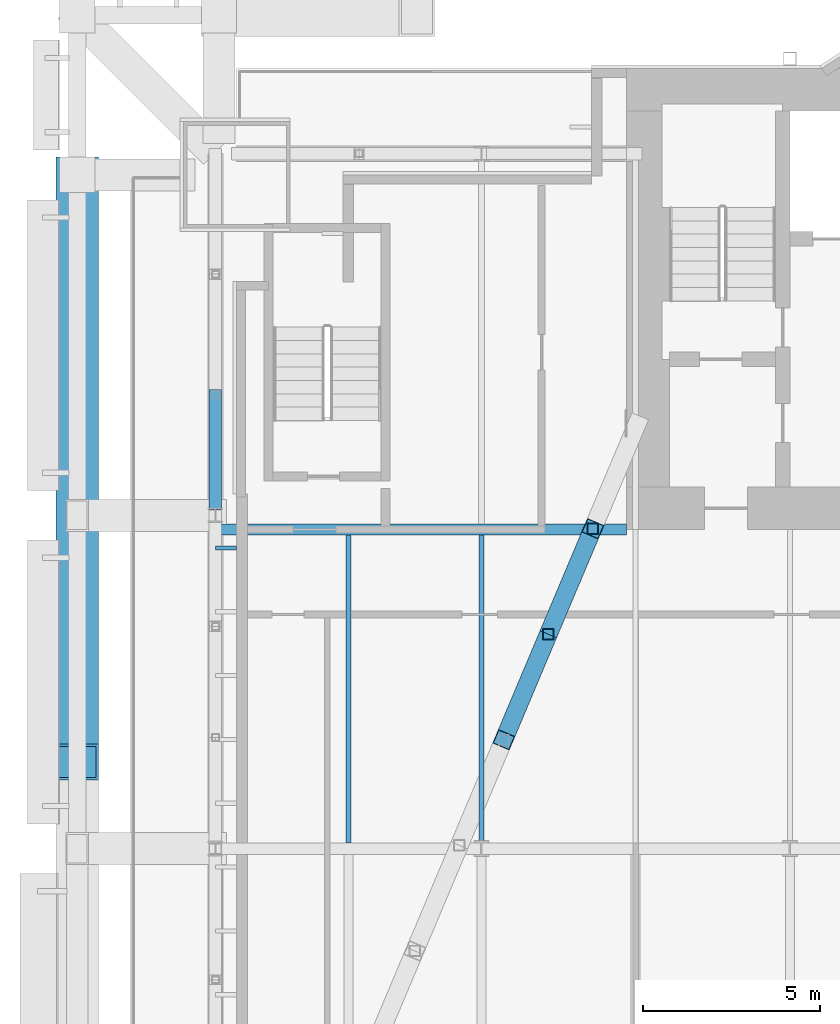
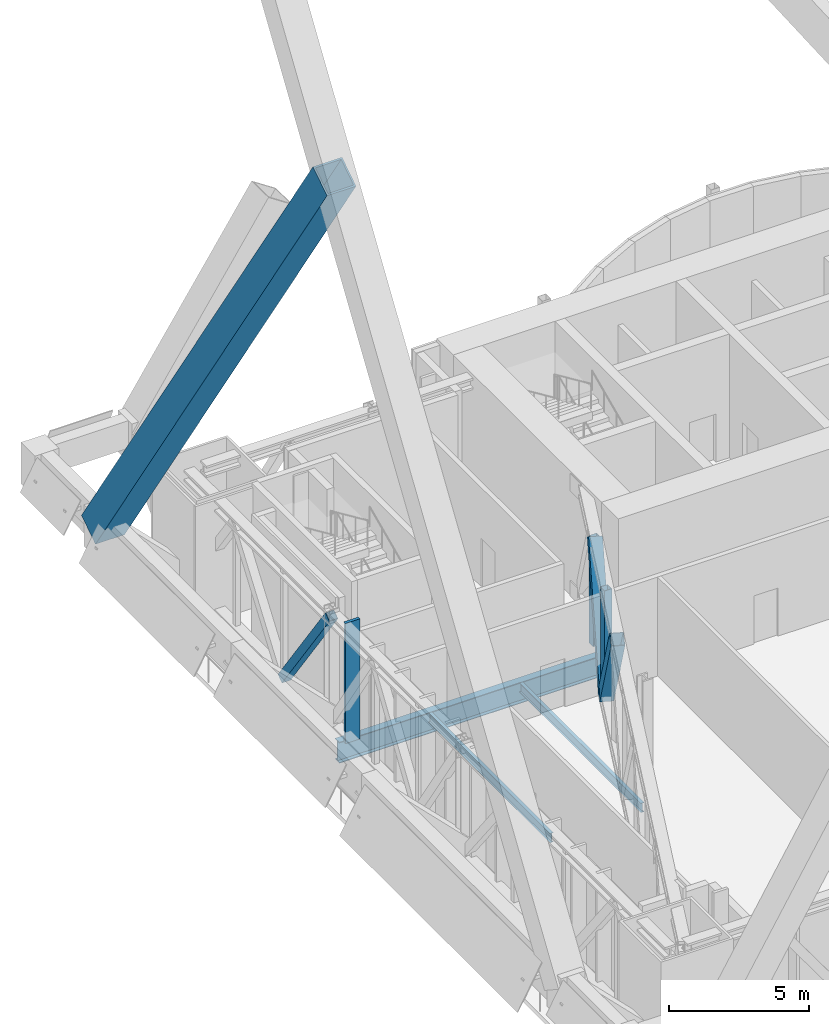
# One storey, part 9 of 32: 7 members, 3 beams, 1 element without a shape of its own.
"""IFC4 building model written with IfcOpenShell, lengths in metres."""

from ifc_helpers import new_model, si_unit, direction, frame, origin, origin_2d, place, context, subcontext, project, spatial, rectangle, hollow_rectangle, i_section, extrude, material, material_profile, profile_set, type_object, element, aggregate, save


model = new_model("IFC4")

# Units and contexts
model_context = context("Model", 3, precision=1e-05, world=origin(), true_north=direction((0.0, 1.0)))
body_context = subcontext(model_context, "Body", "Model", "MODEL_VIEW")
ifc_project = project(units=[si_unit("LENGTHUNIT", "METRE"), si_unit("AREAUNIT", "SQUARE_METRE"), si_unit("VOLUMEUNIT", "CUBIC_METRE"), si_unit("PLANEANGLEUNIT", "RADIAN"), si_unit("MASSUNIT", "GRAM", prefix="KILO")], contexts=[model_context])

# Site, building, storey
site_placement = place(None, origin())
site = spatial("IfcSite", under=ifc_project, at=site_placement, CompositionType="ELEMENT")
building_placement = place(site_placement, origin())
building = spatial("IfcBuilding", under=site, at=building_placement, Name="Bicima Exchange Tower", CompositionType="ELEMENT")
storey_placement = place(building_placement, frame((0.0, 0.0, 84.5)))
storey = spatial("IfcBuildingStorey", under=building, at=storey_placement, Name="L17", CompositionType="ELEMENT", Elevation=84.5)

# Curtain wall, member
ifc_material_1 = material(Name="Anodised bronze aluminium", Category="aluminium")
curtain_wall_type = type_object("IfcCurtainWallType", Name="Band blade screen", PredefinedType="NOTDEFINED", material=ifc_material_1)
curtain_wall_placement = place(storey_placement, origin())
curtain_wall = element("IfcCurtainWall", 1, at=curtain_wall_placement, inside=storey, type_object=curtain_wall_type, Name="Band blade screen L17", PredefinedType="NOTDEFINED")
ifc_material_profile_1 = material_profile(ifc_material_1, rectangle(XDim=0.60009765625, YDim=0.1201171875, at=origin_2d()))
ifc_profile_set_1 = profile_set([ifc_material_profile_1], Name="Anodised bronze aluminium")
member_type_1 = type_object("IfcMemberType", Name="Band blade fin 600 x 120", PredefinedType="USERDEFINED", material=ifc_profile_set_1)
member_1_placement = place(storey_placement, frame((-33.300048828125, -13.52001953125, 0.0), z_axis=(0.0, 0.0, 1.0), x_axis=(1.0, 0.0, 0.0)))
member_1 = element("IfcMember", 2, at=member_1_placement, type_object=member_type_1, Name="Band blade fin 16", ObjectType="FIN", PredefinedType="USERDEFINED", context=body_context, shape_type="SweptSolid", body=[
    extrude(rectangle(XDim=0.60009765625, YDim=0.1201171875, at=origin_2d()), origin(), (0.0, 0.0, 1.0), 5.25),
])
aggregate(curtain_wall, [member_1])

# Member
ifc_material_2 = material(Name="Steel ASTM A572 Gr 50", Category="steel")
ifc_material_profile_2 = material_profile(ifc_material_2, hollow_rectangle(XDim=0.355712890625, YDim=0.355712890625, WallThickness=0.0146484375, at=origin_2d()))
ifc_profile_set_2 = profile_set([ifc_material_profile_2], Name="Steel ASTM A572 Gr 50")
member_type_2 = type_object("IfcMemberType", Name="Belt truss diagonal HSS14x14x5/8", PredefinedType="STRUT", material=ifc_profile_set_2)
member_2_placement = place(storey_placement, frame((-33.60009765625, -9.199951171875, 0.248779296875), z_axis=(0.0, -0.581866410253, 0.813284378688), x_axis=(1.0, 0.0, 0.0)))
element("IfcMember", 3, at=member_2_placement, inside=storey, type_object=member_type_2, Name="Truss diagonal", PredefinedType="STRUT", context=body_context, shape_type="SweptSolid", body=[
    extrude(hollow_rectangle(XDim=0.355712890625, YDim=0.355712890625, WallThickness=0.0146484375, at=origin_2d()), origin(), (0.0, 0.0, 1.0), 5.843505859375),
])

# Beam
ifc_material_3 = material(Name="Steel ASTM A992 Gr 50", Category="steel")
ifc_material_profile_3 = material_profile(ifc_material_3, i_section(OverallWidth=0.3046875, OverallDepth=0.911865234375, WebThickness=0.015869140625, FlangeThickness=0.02392578125, at=origin_2d()))
ifc_profile_set_3 = profile_set([ifc_material_profile_3], Name="Steel ASTM A992 Gr 50")
beam_type_1 = type_object("IfcBeamType", Name="Core-line girder W36x150", PredefinedType="BEAM", material=ifc_profile_set_3)
beam_placement = place(storey_placement, frame((-22.0, -13.0, -0.656005859375), z_axis=(-1.0, 0.0, 0.0), x_axis=(0.0, -1.0, 0.0)))
element("IfcBeam", 4, at=beam_placement, inside=storey, type_object=beam_type_1, Name="Core-line girder", PredefinedType="BEAM", context=body_context, shape_type="SweptSolid", body=[
    extrude(i_section(OverallWidth=0.3046875, OverallDepth=0.911865234375, WebThickness=0.015869140625, FlangeThickness=0.02392578125, at=origin_2d()), origin(), (0.0, 0.0, 1.0), 11.60009765625),
])

# Member
ifc_material_profile_4 = material_profile(ifc_material_2, hollow_rectangle(XDim=1.199951171875, YDim=1.199951171875, WallThickness=0.070068359375, at=origin_2d()))
ifc_profile_set_4 = profile_set([ifc_material_profile_4], Name="Steel ASTM A572 Gr 50")
member_type_3 = type_object("IfcMemberType", Name="Exo mega brace BOX 1200x1200x70", PredefinedType="BRACE", material=ifc_profile_set_4)
member_3_placement = place(storey_placement, frame((-37.5, -3.0, 4.5), z_axis=(0.0, -0.54833425175, 0.836259259057), x_axis=(1.0, 0.0, 0.0)))
element("IfcMember", 5, at=member_3_placement, inside=storey, type_object=member_type_3, Name="Exo mega brace end", PredefinedType="BRACE", context=body_context, shape_type="SweptSolid", body=[
    extrude(hollow_rectangle(XDim=1.199951171875, YDim=1.199951171875, WallThickness=0.070068359375, at=origin_2d()), origin(), (0.0, 0.0, 1.0), 30.194091796875),
])

# Beams
ifc_material_profile_5 = material_profile(ifc_material_3, i_section(OverallWidth=0.140380859375, OverallDepth=0.40380859375, WebThickness=0.007080078125, FlangeThickness=0.01123046875, at=origin_2d()))
ifc_profile_set_5 = profile_set([ifc_material_profile_5], Name="Steel ASTM A992 Gr 50")
beam_type_2 = type_object("IfcBeamType", Name="Floor beam W16x31", PredefinedType="JOIST", material=ifc_profile_set_5)
for number, where, z_axis, x_axis, name in (
    (6, (-29.85009765625, -13.15234375, -0.40185546875), (0.0, -1.0, 0.0), (1.0, 0.0, 0.0), "Floor beam"),
    (7, (-26.10009765625, -13.15234375, -0.40185546875), (0.0, -1.0, 0.0), (1.0, 0.0, 0.0), "Floor beam"),
):
    element("IfcBeam", number, at=place(storey_placement, frame(where, z_axis=z_axis, x_axis=x_axis)), inside=storey, type_object=beam_type_2, Name=name, PredefinedType="JOIST", context=body_context, shape_type="SweptSolid", body=[
        extrude(i_section(OverallWidth=0.140380859375, OverallDepth=0.40380859375, WebThickness=0.007080078125, FlangeThickness=0.01123046875, at=origin_2d()), origin(), (0.0, 0.0, 1.0), 8.68505859375),
    ])

# Members
ifc_material_profile_6 = material_profile(ifc_material_2, hollow_rectangle(XDim=0.508056640625, YDim=0.508056640625, WallThickness=0.017822265625, at=origin_2d()))
ifc_profile_set_6 = profile_set([ifc_material_profile_6], Name="Steel ASTM A572 Gr 50")
member_type_4 = type_object("IfcMemberType", Name="Outrigger truss diagonal HSS20x20x3/4", PredefinedType="STRUT", material=ifc_profile_set_6)
for number, where, z_axis, x_axis, name in (
    (8, (-22.95556640625, -12.97705078125, 4.965576171875), (-0.220750685657, -0.523397600797, -0.822997014735), (0.921400520551, -0.388614308446, 0.0), "Truss diagonal"),
    (9, (-24.211181640625, -15.9541015625, 0.284423828125), (-0.220745726332, -0.523428763878, 0.82297852551), (0.921411930783, -0.388587253794, 0.0), "Truss diagonal"),
):
    element("IfcMember", number, at=place(storey_placement, frame(where, z_axis=z_axis, x_axis=x_axis)), inside=storey, type_object=member_type_4, Name=name, PredefinedType="STRUT", context=body_context, shape_type="SweptSolid", body=[
        extrude(hollow_rectangle(XDim=0.508056640625, YDim=0.508056640625, WallThickness=0.017822265625, at=origin_2d()), origin(), (0.0, 0.0, 1.0), 5.68798828125),
    ])
ifc_material_profile_7 = material_profile(ifc_material_2, hollow_rectangle(XDim=0.3046875, YDim=0.3046875, WallThickness=0.01171875, at=origin_2d()))
ifc_profile_set_7 = profile_set([ifc_material_profile_7], Name="Steel ASTM A572 Gr 50")
member_type_5 = type_object("IfcMemberType", Name="Outrigger truss post HSS12x12x1/2", PredefinedType="POST", material=ifc_profile_set_7)
for number, where, z_axis, x_axis, name in (
    (10, (-22.95556640625, -12.97705078125, 0.284423828125), (0.0, 0.0, 1.0), (1.0, 0.0, 0.0), "Truss post"),
    (11, (-24.211181640625, -15.9541015625, 0.284423828125), (0.0, 0.0, 1.0), (1.0, 0.0, 0.0), "Truss post"),
):
    element("IfcMember", number, at=place(storey_placement, frame(where, z_axis=z_axis, x_axis=x_axis)), inside=storey, type_object=member_type_5, Name=name, PredefinedType="POST", context=body_context, shape_type="SweptSolid", body=[
        extrude(hollow_rectangle(XDim=0.3046875, YDim=0.3046875, WallThickness=0.01171875, at=origin_2d()), origin(), (0.0, 0.0, 1.0), 4.68115234375),
    ])

save(model, "model.ifc")
